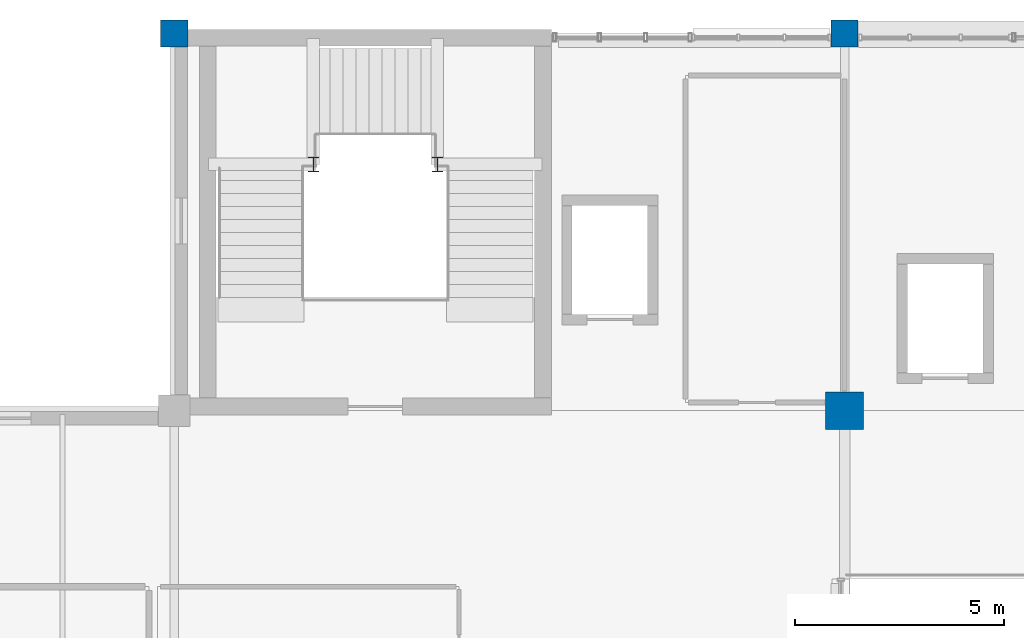
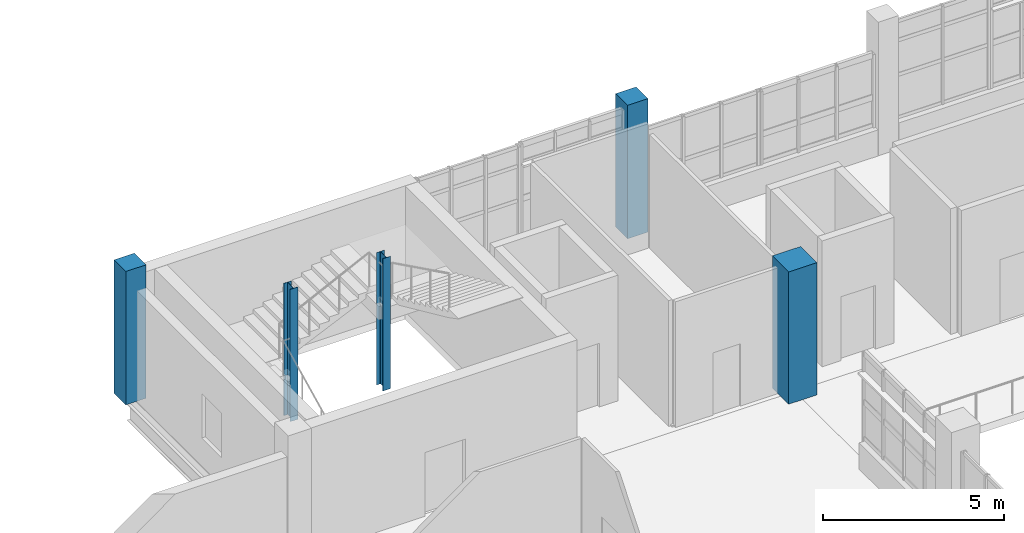
# One storey, part 7 of 85: 5 columns.
"""IFC4 building model written with IfcOpenShell, lengths in metres."""

from ifc_helpers import new_model, si_unit, derived_unit, direction, frame, origin, origin_2d, place, context, subcontext, project, spatial, rectangle, i_section, extrude, material, material_profile, profile_set, type_object, element, save


model = new_model("IFC4")

# Units and contexts
model_context = context("Model", 3, precision=1e-05, world=origin(), true_north=direction((0.0, 1.0)))
body_context = subcontext(model_context, "Body", "Model", "MODEL_VIEW")
ifc_project = project(units=[si_unit("LENGTHUNIT", "METRE"), si_unit("AREAUNIT", "SQUARE_METRE"), si_unit("VOLUMEUNIT", "CUBIC_METRE"), si_unit("PLANEANGLEUNIT", "RADIAN"), si_unit("MASSUNIT", "GRAM", prefix="KILO"), derived_unit("THERMALTRANSMITTANCEUNIT", [(si_unit("POWERUNIT", "WATT"), 1), (si_unit("LENGTHUNIT", "METRE"), -2), (si_unit("THERMODYNAMICTEMPERATUREUNIT", "KELVIN"), -1)])], contexts=[model_context])

# Site, building, storey
site_placement = place(None, origin())
site = spatial("IfcSite", under=ifc_project, at=site_placement, CompositionType="ELEMENT")
building_placement = place(site_placement, origin())
building = spatial("IfcBuilding", under=site, at=building_placement, Name="Nallur Shell Playhouse", CompositionType="ELEMENT")
storey_placement = place(building_placement, frame((0.0, 0.0, 19.800048828125)))
storey = spatial("IfcBuildingStorey", under=building, at=storey_placement, Name="L05", CompositionType="ELEMENT", Elevation=19.800048828125)

# Columns
ifc_material_1 = material(Name="Concrete M35", Category="concrete")
ifc_material_profile_1 = material_profile(ifc_material_1, rectangle(XDim=0.64990234375, YDim=0.64990234375, at=origin_2d()), Name="RC 650x650")
ifc_profile_set_1 = profile_set([ifc_material_profile_1], Name="Concrete M35")
column_type_1 = type_object("IfcColumnType", Name="CL-RC-650", PredefinedType="COLUMN", material=ifc_profile_set_1)
for number, where, z_axis, x_axis, name in (
    (1, (24.0, 83.0, 0.0), (0.0, 0.0, 1.0), (1.0, 0.0, 0.0), "Column 3-K (L05)"),
    (2, (40.0, 83.0, 0.0), (0.0, 0.0, 1.0), (1.0, 0.0, 0.0), "Column 5-K (L05)"),
):
    element("IfcColumn", number, at=place(storey_placement, frame(where, z_axis=z_axis, x_axis=x_axis)), inside=storey, type_object=column_type_1, Name=name, PredefinedType="COLUMN", context=body_context, shape_type="SweptSolid", body=[
        extrude(rectangle(XDim=0.64990234375, YDim=0.64990234375, at=origin_2d()), origin(), (0.0, 0.0, 1.0), 4.5),
    ])
ifc_material_2 = material(Name="Concrete M40", Category="concrete")
ifc_material_profile_2 = material_profile(ifc_material_2, rectangle(XDim=0.89990234375, YDim=0.89990234375, at=origin_2d()), Name="RC 900x900")
ifc_profile_set_2 = profile_set([ifc_material_profile_2], Name="Concrete M40")
column_type_2 = type_object("IfcColumnType", Name="CL-RC-900", PredefinedType="COLUMN", material=ifc_profile_set_2)
column_placement = place(storey_placement, frame((40.0, 74.0, 0.0), z_axis=(0.0, 0.0, 1.0), x_axis=(1.0, 0.0, 0.0)))
element("IfcColumn", 3, at=column_placement, inside=storey, type_object=column_type_2, Name="Column 5-J (L05)", PredefinedType="COLUMN", context=body_context, shape_type="SweptSolid", body=[
    extrude(rectangle(XDim=0.89990234375, YDim=0.89990234375, at=origin_2d()), origin(), (0.0, 0.0, 1.0), 4.4599609375),
])
ifc_material_3 = material(Name="Steel E350", Category="steel")
ifc_material_profile_3 = material_profile(ifc_material_3, i_section(OverallWidth=0.25, OverallDepth=0.35009765625, WebThickness=0.010009765625, FlangeThickness=0.01171875, FilletRadius=0.011962890625, at=origin_2d()), Name="ISHB 350")
ifc_profile_set_3 = profile_set([ifc_material_profile_3], Name="Steel E350")
column_type_3 = type_object("IfcColumnType", Name="CL-ST-ISHB350", PredefinedType="COLUMN", material=ifc_profile_set_3)
for number, where, z_axis, x_axis, name in (
    (4, (27.320068359375, 79.8798828125, 0.0), (0.0, 0.0, 1.0), (1.0, 0.0, 0.0), "Column STW-JC-6-W (L05)"),
    (5, (30.280029296875, 79.8798828125, 0.0), (0.0, 0.0, 1.0), (1.0, 0.0, 0.0), "Column STW-JC-6-E (L05)"),
):
    element("IfcColumn", number, at=place(storey_placement, frame(where, z_axis=z_axis, x_axis=x_axis)), inside=storey, type_object=column_type_3, Name=name, PredefinedType="COLUMN", context=body_context, shape_type="SweptSolid", body=[
        extrude(i_section(OverallWidth=0.25, OverallDepth=0.35009765625, WebThickness=0.010009765625, FlangeThickness=0.01171875, FilletRadius=0.011962890625, at=origin_2d()), origin(), (0.0, 0.0, 1.0), 4.4599609375),
    ])

save(model, "model.ifc")
